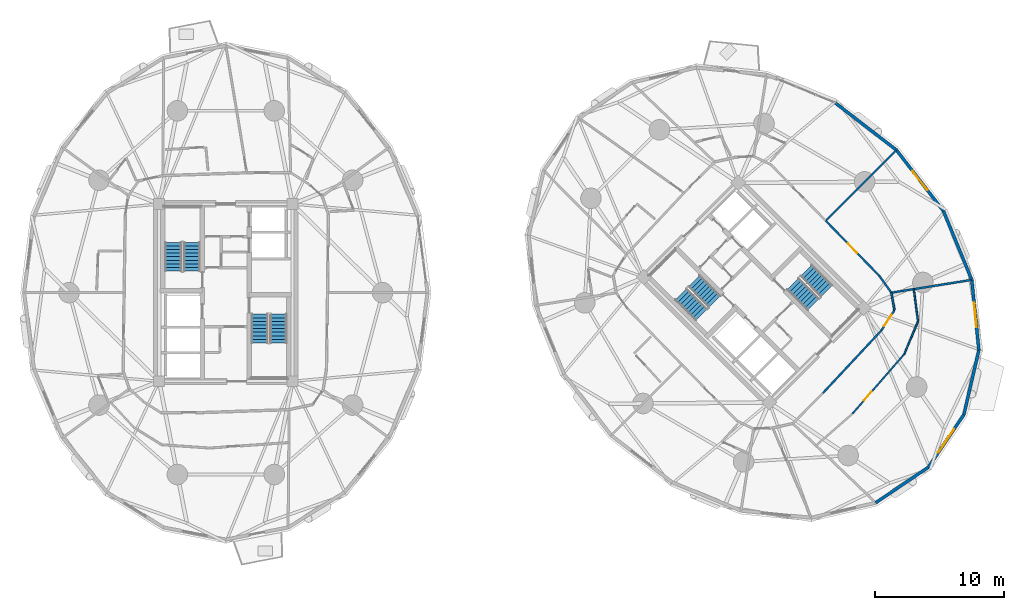
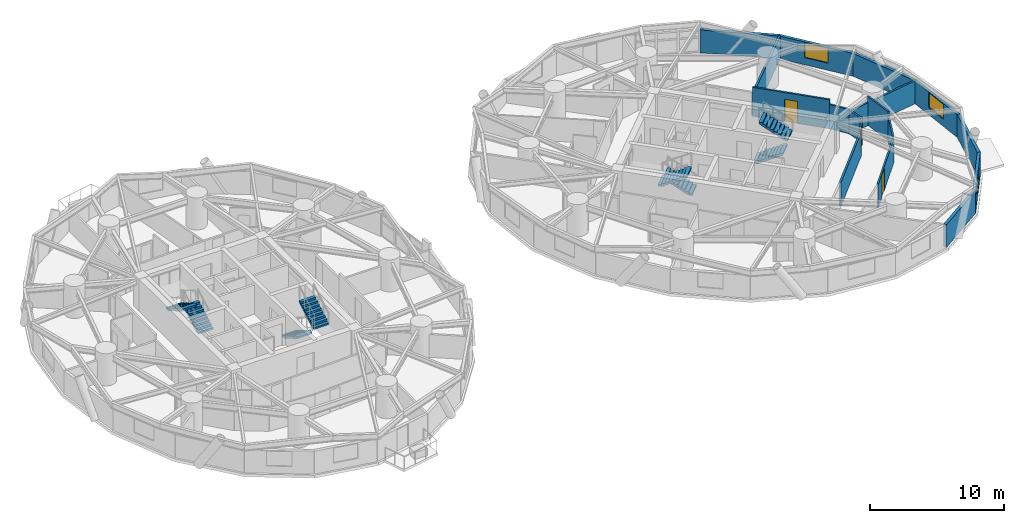
# One storey, part 15 of 18: 17 walls, 8 stair flights, 3 doors, 3 windows, 6 openings, 4 elements without a shape of their own.
"""IFC4 building model written with IfcOpenShell, lengths in metres."""

from ifc_helpers import new_model, si_unit, direction, frame, frame_2d, origin, place, context, subcontext, project, spatial, polyline, rectangle, outline, extrude, source, transform, mapped, material, layer, layer_set, type_object, element, fill, aggregate, save


model = new_model("IFC4")

# Units and contexts
model_context = context("Model", 3, precision=1e-05, world=origin(), true_north=direction((0.0, 1.0)))
body_context = subcontext(model_context, "Body", "Model", "MODEL_VIEW")
ifc_project = project(units=[si_unit("LENGTHUNIT", "METRE"), si_unit("AREAUNIT", "SQUARE_METRE"), si_unit("VOLUMEUNIT", "CUBIC_METRE"), si_unit("PLANEANGLEUNIT", "RADIAN"), si_unit("MASSUNIT", "GRAM", prefix="KILO")], contexts=[model_context])

# Site, building, storey
site_placement = place(None, origin())
site = spatial("IfcSite", under=ifc_project, at=site_placement, CompositionType="ELEMENT")
building_placement = place(site_placement, origin())
building = spatial("IfcBuilding", under=site, at=building_placement, Name="Cununo Teusaquillo Station Towers", CompositionType="ELEMENT")
storey_placement = place(building_placement, frame((0.0, 0.0, 51.10009765625)))
storey = spatial("IfcBuildingStorey", under=building, at=storey_placement, Name="L15", CompositionType="ELEMENT", Elevation=51.10009765625)

# Walls
ifc_material_1 = material(Name="Precast concrete C40/50", Category="concrete")
ifc_layer_1 = layer(ifc_material_1, 0.239990234375)
ifc_layer_set_1 = layer_set([ifc_layer_1], Name="Precast concrete C40/50")
wall_type_1 = type_object("IfcWallType", Name="WL-EXT-240", PredefinedType="SOLIDWALL", material=ifc_layer_set_1)
wall_1_placement = place(storey_placement, frame((63.844482421875, 39.22216796875, 0.0), z_axis=(0.0, 0.0, 1.0), x_axis=(0.792014314407, -0.610502519057, 0.0)))
element("IfcWall", 1, at=wall_1_placement, inside=storey, type_object=wall_type_1, Name="L15 Tower B Exterior Facade Wall C00", PredefinedType="SOLIDWALL", context=body_context, shape_type="SweptSolid", body=[
    extrude(rectangle(XDim=5.973388671875, YDim=0.239990234375, at=frame_2d((2.98681640625, 0.0))), origin(), (0.0, 0.0, 1.0), 2.072998046875),
])
wall_2_placement = place(storey_placement, frame((71.05517578125, 10.94482421875, 0.0), z_axis=(0.0, 0.0, 1.0), x_axis=(-0.828736708604, -0.559638693991, 0.0)))
element("IfcWall", 2, at=wall_2_placement, inside=storey, type_object=wall_type_1, Name="L15 Tower B Exterior Facade Wall C14", PredefinedType="SOLIDWALL", context=body_context, shape_type="SweptSolid", body=[
    extrude(rectangle(XDim=4.929931640625, YDim=0.239990234375, at=frame_2d((2.46484375, 0.0))), origin(), (0.0, 0.0, 1.0), 2.072998046875),
])

# Wall, opening, window
wall_3_placement = place(storey_placement, frame((73.814208984375, 15.030517578125, 0.0), z_axis=(0.0, 0.0, 1.0), x_axis=(-0.559638693991, -0.828736708604, 0.0)))
wall_3 = element("IfcWall", 3, at=wall_3_placement, inside=storey, type_object=wall_type_1, Name="L15 Tower B Exterior Facade Wall C15", PredefinedType="SOLIDWALL", context=body_context, shape_type="SweptSolid", body=[
    extrude(rectangle(XDim=4.929931640625, YDim=0.239990234375, at=frame_2d((2.46484375, 0.0))), origin(), (0.0, 0.0, 1.0), 2.072998046875),
])
shared_shape_1 = source(origin(), body_context, "Body", "SweptSolid", [
    extrude(rectangle(XDim=2.199951171875, YDim=1.35009765625, at=frame_2d((1.10009765625, 0.675048828125))), frame((0.0, 0.1298828125, 0.0), z_axis=(0.0, -1.0, 0.0), x_axis=(1.0, 0.0, 0.0)), (0.0, 0.0, 1.0), 0.260009765625),
])
opening_1_placement = place(wall_3_placement, frame((1.364990234375, 0.0, 0.64990234375)))
opening_1 = element("IfcOpeningElement", 4, at=opening_1_placement, cuts=wall_3, Name="Opening WN-01", PredefinedType="OPENING", context=body_context, shape_type="MappedRepresentation", body=[
    mapped(shared_shape_1, transform((0.0, 0.0, 0.0), x_axis=(1.0, 0.0, 0.0), y_axis=(0.0, 1.0, 0.0), z_axis=(0.0, 0.0, 1.0), scale=1.0)),
])
ifc_material_2 = material(Name="Ceramic-fritted dark low-E double glazing", Category="glass")
window_type_1 = type_object("IfcWindowType", Name="WIN-FRIT-2200", PartitioningType="DOUBLE_PANEL_VERTICAL", PredefinedType="WINDOW", material=ifc_material_2)
shared_shape_2 = source(origin(), body_context, "Body", "SweptSolid", [
    extrude(rectangle(XDim=2.199951171875, YDim=1.35009765625, at=frame_2d((1.10009765625, 0.675048828125))), frame((0.0, 0.030029296875, 0.0), z_axis=(0.0, -1.0, 0.0), x_axis=(1.0, 0.0, 0.0)), (0.0, 0.0, 1.0), 0.06005859375),
])
window_1_placement = place(opening_1_placement, origin())
window_1 = element("IfcWindow", 5, at=window_1_placement, inside=storey, type_object=window_type_1, Name="L15 Tower B Facade Window C15", OverallHeight=1.35009765625, OverallWidth=2.199951171875, PartitioningType="DOUBLE_PANEL_VERTICAL", PredefinedType="WINDOW", context=body_context, shape_type="MappedRepresentation", body=[
    mapped(shared_shape_2, transform((0.0, 0.0, 0.0), x_axis=(1.0, 0.0, 0.0), y_axis=(0.0, 1.0, 0.0), z_axis=(0.0, 0.0, 1.0), scale=1.0)),
])
fill(opening_1, window_1)

# Wall
wall_4_placement = place(storey_placement, frame((74.976318359375, 20.04345703125, 0.0), z_axis=(0.0, 0.0, 1.0), x_axis=(-0.225833060959, -0.974166016949, 0.0)))
element("IfcWall", 6, at=wall_4_placement, inside=storey, type_object=wall_type_1, Name="L15 Tower B Exterior Facade Wall C16", PredefinedType="SOLIDWALL", context=body_context, shape_type="SweptSolid", body=[
    extrude(rectangle(XDim=5.14599609375, YDim=0.239990234375, at=frame_2d((2.572998046875, 0.0))), origin(), (0.0, 0.0, 1.0), 2.072998046875),
])

# Wall, opening, window
wall_5_placement = place(storey_placement, frame((74.427734375, 25.49267578125, 0.0), z_axis=(0.0, 0.0, 1.0), x_axis=(0.100165739718, -0.994970765694, 0.0)))
wall_5 = element("IfcWall", 7, at=wall_5_placement, inside=storey, type_object=wall_type_1, Name="L15 Tower B Exterior Facade Wall C17", PredefinedType="SOLIDWALL", context=body_context, shape_type="SweptSolid", body=[
    extrude(rectangle(XDim=5.476806640625, YDim=0.239990234375, at=frame_2d((2.73828125, 0.0))), origin(), (0.0, 0.0, 1.0), 2.072998046875),
])
shared_shape_3 = source(origin(), body_context, "Body", "SweptSolid", [
    extrude(rectangle(XDim=1.89990234375, YDim=1.35009765625, at=frame_2d((0.949951171875, 0.675048828125))), frame((0.0, 0.1298828125, 0.0), z_axis=(0.0, -1.0, 0.0), x_axis=(1.0, 0.0, 0.0)), (0.0, 0.0, 1.0), 0.260009765625),
])
opening_2_placement = place(wall_5_placement, frame((1.7880859375, 0.0, 0.64990234375)))
opening_2 = element("IfcOpeningElement", 8, at=opening_2_placement, cuts=wall_5, Name="Opening WN-02", PredefinedType="OPENING", context=body_context, shape_type="MappedRepresentation", body=[
    mapped(shared_shape_3, transform((0.0, 0.0, 0.0), x_axis=(1.0, 0.0, 0.0), y_axis=(0.0, 1.0, 0.0), z_axis=(0.0, 0.0, 1.0), scale=1.0)),
])
ifc_material_3 = material(Name="Operable acoustic tinted low-E double glazing", Category="glass")
window_type_2 = type_object("IfcWindowType", Name="WIN-OPER-1900", PartitioningType="DOUBLE_PANEL_VERTICAL", PredefinedType="WINDOW", material=ifc_material_3)
shared_shape_4 = source(origin(), body_context, "Body", "SweptSolid", [
    extrude(rectangle(XDim=1.89990234375, YDim=1.35009765625, at=frame_2d((0.949951171875, 0.675048828125))), frame((0.0, 0.030029296875, 0.0), z_axis=(0.0, -1.0, 0.0), x_axis=(1.0, 0.0, 0.0)), (0.0, 0.0, 1.0), 0.06005859375),
])
window_2_placement = place(opening_2_placement, origin())
window_2 = element("IfcWindow", 9, at=window_2_placement, inside=storey, type_object=window_type_2, Name="L15 Tower B Facade Window C17", OverallHeight=1.35009765625, OverallWidth=1.89990234375, PartitioningType="DOUBLE_PANEL_VERTICAL", PredefinedType="WINDOW", context=body_context, shape_type="MappedRepresentation", body=[
    mapped(shared_shape_4, transform((0.0, 0.0, 0.0), x_axis=(1.0, 0.0, 0.0), y_axis=(0.0, 1.0, 0.0), z_axis=(0.0, 0.0, 1.0), scale=1.0)),
])
fill(opening_2, window_2)

# Wall
wall_6_placement = place(storey_placement, frame((72.22216796875, 30.844482421875, 0.0), z_axis=(0.0, 0.0, 1.0), x_axis=(0.381027682565, -0.924563629567, 0.0)))
element("IfcWall", 10, at=wall_6_placement, inside=storey, type_object=wall_type_1, Name="L15 Tower B Exterior Facade Wall C18", PredefinedType="SOLIDWALL", context=body_context, shape_type="SweptSolid", body=[
    extrude(rectangle(XDim=5.78857421875, YDim=0.239990234375, at=frame_2d((2.894287109375, 0.0))), origin(), (0.0, 0.0, 1.0), 2.072998046875),
])

# Wall, opening, window
wall_7_placement = place(storey_placement, frame((68.575439453125, 35.575439453125, 0.0), z_axis=(0.0, 0.0, 1.0), x_axis=(0.610502519057, -0.792014314407, 0.0)))
wall_7 = element("IfcWall", 11, at=wall_7_placement, inside=storey, type_object=wall_type_1, Name="L15 Tower B Exterior Facade Wall C19", PredefinedType="SOLIDWALL", context=body_context, shape_type="SweptSolid", body=[
    extrude(rectangle(XDim=5.973388671875, YDim=0.239990234375, at=frame_2d((2.98681640625, 0.0))), origin(), (0.0, 0.0, 1.0), 2.072998046875),
])
opening_3_placement = place(wall_7_placement, frame((2.037109375, 0.0, 0.64990234375)))
opening_3 = element("IfcOpeningElement", 12, at=opening_3_placement, cuts=wall_7, Name="Opening WN-02", PredefinedType="OPENING", context=body_context, shape_type="MappedRepresentation", body=[
    mapped(shared_shape_3, transform((0.0, 0.0, 0.0), x_axis=(1.0, 0.0, 0.0), y_axis=(0.0, 1.0, 0.0), z_axis=(0.0, 0.0, 1.0), scale=1.0)),
])
window_3_placement = place(opening_3_placement, origin())
window_3 = element("IfcWindow", 13, at=window_3_placement, inside=storey, type_object=window_type_2, Name="L15 Tower B Facade Window C19", OverallHeight=1.35009765625, OverallWidth=1.89990234375, PartitioningType="DOUBLE_PANEL_VERTICAL", PredefinedType="WINDOW", context=body_context, shape_type="MappedRepresentation", body=[
    mapped(shared_shape_4, transform((0.0, 0.0, 0.0), x_axis=(1.0, 0.0, 0.0), y_axis=(0.0, 1.0, 0.0), z_axis=(0.0, 0.0, 1.0), scale=1.0)),
])
fill(opening_3, window_3)

# Wall, opening, door
ifc_material_4 = material(Name="Fire-rated gypsum plasterboard partition assembly", Category="gypsum")
ifc_layer_2 = layer(ifc_material_4, 0.125)
ifc_layer_set_2 = layer_set([ifc_layer_2], Name="Fire-rated gypsum plasterboard partition assembly")
wall_type_2 = type_object("IfcWallType", Name="WL-PART-125", PredefinedType="PARTITIONING", material=ifc_layer_set_2)
wall_8_placement = place(storey_placement, frame((65.156005859375, 15.09375, 0.0), z_axis=(0.0, 0.0, 1.0), x_axis=(0.656356662483, 0.754450748302, 0.0)))
wall_8 = element("IfcWall", 14, at=wall_8_placement, inside=storey, type_object=wall_type_2, Name="L15 Tower B Hotel Housekeeping & Linen Pantry Concentric Partition Wall C15", PredefinedType="PARTITIONING", context=body_context, shape_type="SweptSolid", body=[
    extrude(rectangle(XDim=6.1474609375, YDim=0.125, at=frame_2d((3.07373046875, 0.0))), origin(), (0.0, 0.0, 1.0), 2.158935546875),
])
shared_shape_5 = source(origin(), body_context, "Body", "SweptSolid", [
    extrude(rectangle(XDim=0.89990234375, YDim=2.0048828125, at=frame_2d((0.449951171875, 1.00244140625))), frame((0.0, 0.072509765625, 0.0), z_axis=(0.0, -1.0, 0.0), x_axis=(1.0, 0.0, 0.0)), (0.0, 0.0, 1.0), 0.14501953125),
])
opening_4_placement = place(wall_8_placement, frame((1.371826171875, 0.0, 0.0)))
opening_4 = element("IfcOpeningElement", 15, at=opening_4_placement, cuts=wall_8, Name="Opening D-IN1", PredefinedType="OPENING", context=body_context, shape_type="MappedRepresentation", body=[
    mapped(shared_shape_5, transform((0.0, 0.0, 0.0), x_axis=(1.0, 0.0, 0.0), y_axis=(0.0, 1.0, 0.0), z_axis=(0.0, 0.0, 1.0), scale=1.0)),
])
ifc_material_5 = material(Name="Acoustic solid-core hardwood leaf assembly", Category="wood")
door_type_1 = type_object("IfcDoorType", Name="DR-INT-900", OperationType="NOTDEFINED", PredefinedType="DOOR", material=ifc_material_5)
shared_shape_6 = source(origin(), body_context, "Body", "SweptSolid", [
    extrude(rectangle(XDim=0.89990234375, YDim=2.0048828125, at=frame_2d((0.449951171875, 1.00244140625))), frame((0.0, 0.02490234375, 0.0), z_axis=(0.0, -1.0, 0.0), x_axis=(1.0, 0.0, 0.0)), (0.0, 0.0, 1.0), 0.050048828125),
])
door_1_placement = place(opening_4_placement, origin())
door_1 = element("IfcDoor", 16, at=door_1_placement, inside=storey, type_object=door_type_1, Name="L15 Tower B Hotel Housekeeping & Linen Pantry Connecting Door", OperationType="SINGLE_SWING_LEFT", OverallHeight=2.0048828125, OverallWidth=0.89990234375, PredefinedType="DOOR", context=body_context, shape_type="MappedRepresentation", body=[
    mapped(shared_shape_6, transform((0.0, 0.0, 0.0), x_axis=(1.0, 0.0, 0.0), y_axis=(0.0, 1.0, 0.0), z_axis=(0.0, 0.0, 1.0), scale=1.0)),
])
fill(opening_4, door_1)

# Walls
wall_9_placement = place(storey_placement, frame((69.19091796875, 19.731689453125, 0.0), z_axis=(0.0, 0.0, 1.0), x_axis=(0.385156247749, 0.922851377427, 0.0)))
element("IfcWall", 17, at=wall_9_placement, inside=storey, type_object=wall_type_2, Name="L15 Tower B Hotel Housekeeping & Linen Pantry Concentric Partition Wall C16", PredefinedType="PARTITIONING", context=body_context, shape_type="SweptSolid", body=[
    extrude(rectangle(XDim=2.756103515625, YDim=0.125, at=frame_2d((1.3779296875, 0.0))), origin(), (0.0, 0.0, 1.0), 2.204833984375),
])
wall_10_placement = place(storey_placement, frame((70.25244140625, 22.275146484375, 0.0), z_axis=(0.0, 0.0, 1.0), x_axis=(-0.129645482902, 0.991560411051, 0.0)))
element("IfcWall", 18, at=wall_10_placement, inside=storey, type_object=wall_type_2, Name="L15 Tower B Hotel Housekeeping & Linen Pantry Concentric Partition Wall C17", PredefinedType="PARTITIONING", context=body_context, shape_type="SweptSolid", body=[
    extrude(rectangle(XDim=2.521484375, YDim=0.125, at=frame_2d((1.2607421875, 0.0))), origin(), (0.0, 0.0, 1.0), 2.635009765625),
])
ifc_material_6 = material(Name="Fire-rated gypsum plasterboard partition assembly", Category="gypsum")
ifc_layer_3 = layer(ifc_material_6, 0.14990234375)
ifc_layer_set_3 = layer_set([ifc_layer_3], Name="Fire-rated gypsum plasterboard partition assembly")
wall_type_3 = type_object("IfcWallType", Name="WL-PART-150", PredefinedType="PARTITIONING", material=ifc_layer_set_3)
wall_11_placement = place(storey_placement, frame((62.8671875, 16.70166015625, 0.0), z_axis=(0.0, 0.0, 1.0), x_axis=(0.682449206191, 0.73093302085, 0.0)))
element("IfcWall", 19, at=wall_11_placement, inside=storey, type_object=wall_type_3, Name="L15 Tower B Corridor Ring Wall C15", PredefinedType="PARTITIONING", context=body_context, shape_type="SweptSolid", body=[
    extrude(rectangle(XDim=6.641845703125, YDim=0.14990234375, at=frame_2d((3.32080078125, 0.0))), origin(), (0.0, 0.0, 1.0), 2.158935546875),
])

# Wall, opening, door
wall_12_placement = place(storey_placement, frame((67.39990234375, 21.556396484375, 0.0), z_axis=(0.0, 0.0, 1.0), x_axis=(0.542247692187, 0.840218686009, 0.0)))
wall_12 = element("IfcWall", 20, at=wall_12_placement, inside=storey, type_object=wall_type_3, Name="L15 Tower B Corridor Ring Wall C16", PredefinedType="PARTITIONING", context=body_context, shape_type="SweptSolid", body=[
    extrude(rectangle(XDim=1.886962890625, YDim=0.14990234375, at=frame_2d((0.943359375, 0.0))), origin(), (0.0, 0.0, 1.0), 2.204833984375),
])
shared_shape_7 = source(origin(), body_context, "Body", "SweptSolid", [
    extrude(rectangle(XDim=1.050048828125, YDim=2.014892578125, at=frame_2d((0.52490234375, 1.00732421875))), frame((0.0, 0.0849609375, 0.0), z_axis=(0.0, -1.0, 0.0), x_axis=(1.0, 0.0, 0.0)), (0.0, 0.0, 1.0), 0.169921875),
])
opening_5_placement = place(wall_12_placement, frame((0.418701171875, 0.0, 0.0)))
opening_5 = element("IfcOpeningElement", 21, at=opening_5_placement, cuts=wall_12, Name="Opening D-SU1", PredefinedType="OPENING", context=body_context, shape_type="MappedRepresentation", body=[
    mapped(shared_shape_7, transform((0.0, 0.0, 0.0), x_axis=(1.0, 0.0, 0.0), y_axis=(0.0, 1.0, 0.0), z_axis=(0.0, 0.0, 1.0), scale=1.0)),
])
ifc_material_7 = material(Name="Acoustic solid-core hardwood leaf assembly", Category="wood")
door_type_2 = type_object("IfcDoorType", Name="DR-SUITE-1050", OperationType="NOTDEFINED", PredefinedType="DOOR", material=ifc_material_7)
shared_shape_8 = source(origin(), body_context, "Body", "SweptSolid", [
    extrude(rectangle(XDim=1.050048828125, YDim=2.014892578125, at=frame_2d((0.52490234375, 1.00732421875))), frame((0.0, 0.02490234375, 0.0), z_axis=(0.0, -1.0, 0.0), x_axis=(1.0, 0.0, 0.0)), (0.0, 0.0, 1.0), 0.050048828125),
])
door_2_placement = place(opening_5_placement, origin())
door_2 = element("IfcDoor", 22, at=door_2_placement, inside=storey, type_object=door_type_2, Name="L15 Tower B Hotel Housekeeping & Linen Pantry Entrance Door", OperationType="SINGLE_SWING_RIGHT", OverallHeight=2.014892578125, OverallWidth=1.050048828125, PredefinedType="DOOR", context=body_context, shape_type="MappedRepresentation", body=[
    mapped(shared_shape_8, transform((0.0, 0.0, 0.0), x_axis=(1.0, 0.0, 0.0), y_axis=(0.0, 1.0, 0.0), z_axis=(0.0, 0.0, 1.0), scale=1.0)),
])
fill(opening_5, door_2)

# Walls
wall_13_placement = place(storey_placement, frame((68.423095703125, 23.141845703125, 0.0), z_axis=(0.0, 0.0, 1.0), x_axis=(-0.174796562349, 0.984604571283, 0.0)))
element("IfcWall", 23, at=wall_13_placement, inside=storey, type_object=wall_type_3, Name="L15 Tower B Corridor Ring Wall C17", PredefinedType="PARTITIONING", context=body_context, shape_type="SweptSolid", body=[
    extrude(rectangle(XDim=1.377197265625, YDim=0.14990234375, at=frame_2d((0.6884765625, 0.0))), origin(), (0.0, 0.0, 1.0), 2.158935546875),
])
wall_14_placement = place(storey_placement, frame((68.182373046875, 24.497802734375, 0.0), z_axis=(0.0, 0.0, 1.0), x_axis=(-0.582532339525, 0.812807525437, 0.0)))
element("IfcWall", 24, at=wall_14_placement, inside=storey, type_object=wall_type_3, Name="L15 Tower B Corridor Ring Wall C18", PredefinedType="PARTITIONING", context=body_context, shape_type="SweptSolid", body=[
    extrude(rectangle(XDim=1.605224609375, YDim=0.14990234375, at=frame_2d((0.802734375, 0.0))), origin(), (0.0, 0.0, 1.0), 2.204833984375),
])

# Wall, opening, door
wall_15_placement = place(storey_placement, frame((67.247314453125, 25.802490234375, 0.0), z_axis=(0.0, 0.0, 1.0), x_axis=(-0.696771261687, 0.71729339108, 0.0)))
wall_15 = element("IfcWall", 25, at=wall_15_placement, inside=storey, type_object=wall_type_3, Name="L15 Tower B Corridor Ring Wall C19", PredefinedType="PARTITIONING", context=body_context, shape_type="SweptSolid", body=[
    extrude(rectangle(XDim=5.971923828125, YDim=0.14990234375, at=frame_2d((2.98583984375, 0.0))), origin(), (0.0, 0.0, 1.0), 2.635009765625),
])
shared_shape_9 = source(origin(), body_context, "Body", "SweptSolid", [
    extrude(rectangle(XDim=1.0, YDim=2.014892578125, at=frame_2d((0.5, 1.00732421875))), frame((0.0, 0.0849609375, 0.0), z_axis=(0.0, -1.0, 0.0), x_axis=(1.0, 0.0, 0.0)), (0.0, 0.0, 1.0), 0.169921875),
])
opening_6_placement = place(wall_15_placement, frame((2.486083984375, 0.0, 0.0)))
opening_6 = element("IfcOpeningElement", 26, at=opening_6_placement, cuts=wall_15, Name="Opening D-AC1", PredefinedType="OPENING", context=body_context, shape_type="MappedRepresentation", body=[
    mapped(shared_shape_9, transform((0.0, 0.0, 0.0), x_axis=(1.0, 0.0, 0.0), y_axis=(0.0, 1.0, 0.0), z_axis=(0.0, 0.0, 1.0), scale=1.0)),
])
ifc_material_8 = material(Name="Acoustic solid-core hardwood leaf assembly", Category="wood")
door_type_3 = type_object("IfcDoorType", Name="DR-ACC-1000", OperationType="NOTDEFINED", PredefinedType="DOOR", material=ifc_material_8)
shared_shape_10 = source(origin(), body_context, "Body", "SweptSolid", [
    extrude(rectangle(XDim=1.0, YDim=2.014892578125, at=frame_2d((0.5, 1.00732421875))), frame((0.0, 0.02490234375, 0.0), z_axis=(0.0, -1.0, 0.0), x_axis=(1.0, 0.0, 0.0)), (0.0, 0.0, 1.0), 0.050048828125),
])
door_3_placement = place(opening_6_placement, origin())
door_3 = element("IfcDoor", 27, at=door_3_placement, inside=storey, type_object=door_type_3, Name="L15 Tower B Public Accessible Restroom WC Entrance Door", OperationType="SINGLE_SWING_RIGHT", OverallHeight=2.014892578125, OverallWidth=1.0, PredefinedType="DOOR", context=body_context, shape_type="MappedRepresentation", body=[
    mapped(shared_shape_10, transform((0.0, 0.0, 0.0), x_axis=(1.0, 0.0, 0.0), y_axis=(0.0, 1.0, 0.0), z_axis=(0.0, 0.0, 1.0), scale=1.0)),
])
fill(opening_6, door_3)

# Walls
ifc_material_9 = material(Name="Fire-rated gypsum plasterboard partition assembly", Category="gypsum")
ifc_layer_4 = layer(ifc_material_9, 0.159912109375)
ifc_layer_set_4 = layer_set([ifc_layer_4], Name="Fire-rated gypsum plasterboard partition assembly")
wall_type_4 = type_object("IfcWallType", Name="WL-PART-160", PredefinedType="PARTITIONING", material=ifc_layer_set_4)
wall_16_placement = place(storey_placement, frame((63.086181640625, 30.086181640625, 0.0), z_axis=(0.0, 0.0, 1.0), x_axis=(0.707106781187, 0.707106781187, 0.0)))
element("IfcWall", 28, at=wall_16_placement, inside=storey, type_object=wall_type_4, Name="L15 Tower B Radial Suite Partition R01", PredefinedType="PARTITIONING", context=body_context, shape_type="SweptSolid", body=[
    extrude(rectangle(XDim=7.742919921875, YDim=0.159912109375, at=frame_2d((3.87158203125, 0.0))), origin(), (0.0, 0.0, 1.0), 2.072998046875),
])
wall_17_placement = place(storey_placement, frame((68.182373046875, 24.497802734375, 0.0), z_axis=(0.0, 0.0, 1.0), x_axis=(0.987550107246, 0.157304754152, 0.0)))
element("IfcWall", 29, at=wall_17_placement, inside=storey, type_object=wall_type_4, Name="L15 Tower B Radial Suite Partition R09", PredefinedType="PARTITIONING", context=body_context, shape_type="SweptSolid", body=[
    extrude(rectangle(XDim=6.30419921875, YDim=0.159912109375, at=frame_2d((3.152099609375, 0.0))), origin(), (0.0, 0.0, 1.0), 2.072998046875),
])

# Stair, stair flights
ifc_material_10 = material(Name="Concrete C50/60", Category="concrete")
stair_type = type_object("IfcStairType", Name="ST-TWR-1300", PredefinedType="HALF_TURN_STAIR", material=ifc_material_10)
stair_1_placement = place(storey_placement, origin())
stair_1 = element("IfcStair", 30, at=stair_1_placement, inside=storey, type_object=stair_type, Name="L15 Tower A Protected Core Exit Stair 1", PredefinedType="HALF_TURN_STAIR")
ifc_material_11 = material(Name="Concrete C50/60", Category="concrete")
stair_flight_type = type_object("IfcStairFlightType", Name="SFL-TWR-1300", PredefinedType="STRAIGHT", material=ifc_material_11)
stair_flight_1_placement = place(storey_placement, frame((13.8701171875, 26.169921875, 0.0), z_axis=(0.0, 0.0, 1.0), x_axis=(0.0, 1.0, 0.0)))
stair_flight_1 = element("IfcStairFlight", 31, at=stair_flight_1_placement, type_object=stair_flight_type, Name="ST-T1-1 flight 1", NumberOfRisers=9, NumberOfTreads=8, PredefinedType="STRAIGHT", RiserHeight=0.161666667, TreadLength=0.28, context=body_context, shape_type="SweptSolid", body=[
    extrude(outline(polyline([(0.0, 0.0), (0.0, 0.16162109375), (0.280029296875, 0.16162109375), (0.280029296875, 0.3232421875), (0.56005859375, 0.3232421875), (0.56005859375, 0.485107421875), (0.840087890625, 0.485107421875), (0.840087890625, 0.646728515625), (1.1201171875, 0.646728515625), (1.1201171875, 0.808349609375), (1.39990234375, 0.808349609375), (1.39990234375, 0.969970703125), (1.679931640625, 0.969970703125), (1.679931640625, 1.131591796875), (1.9599609375, 1.131591796875), (1.9599609375, 1.293212890625), (2.239990234375, 1.293212890625), (2.239990234375, 1.455078125), (2.239990234375, 1.1201171875), (0.2998046875, 0.0), (0.0, 0.0)])), frame((0.0, 0.64990234375, 0.0), z_axis=(0.0, -1.0, 0.0), x_axis=(1.0, 0.0, 0.0)), (0.0, 0.0, 1.0), 1.300048828125),
])
stair_flight_2_placement = place(storey_placement, frame((12.409912109375, 28.409912109375, 1.454833984375), z_axis=(0.0, 0.0, 1.0), x_axis=(0.0, -1.0, 0.0)))
stair_flight_2 = element("IfcStairFlight", 32, at=stair_flight_2_placement, type_object=stair_flight_type, Name="ST-T1-1 flight 2", NumberOfRisers=9, NumberOfTreads=8, PredefinedType="STRAIGHT", RiserHeight=0.161666667, TreadLength=0.28, context=body_context, shape_type="SweptSolid", body=[
    extrude(outline(polyline([(0.0, 0.0), (0.0, 0.16162109375), (0.280029296875, 0.16162109375), (0.280029296875, 0.3232421875), (0.56005859375, 0.3232421875), (0.56005859375, 0.485107421875), (0.840087890625, 0.485107421875), (0.840087890625, 0.646728515625), (1.1201171875, 0.646728515625), (1.1201171875, 0.808349609375), (1.39990234375, 0.808349609375), (1.39990234375, 0.969970703125), (1.679931640625, 0.969970703125), (1.679931640625, 1.131591796875), (1.9599609375, 1.131591796875), (1.9599609375, 1.293212890625), (2.239990234375, 1.293212890625), (2.239990234375, 1.455078125), (2.239990234375, 1.1201171875), (0.2998046875, 0.0), (0.0, 0.0)])), frame((0.0, 0.64990234375, 0.0), z_axis=(0.0, -1.0, 0.0), x_axis=(1.0, 0.0, 0.0)), (0.0, 0.0, 1.0), 1.300048828125),
])
aggregate(stair_1, [stair_flight_1, stair_flight_2])

stair_2_placement = place(storey_placement, origin())
stair_2 = element("IfcStair", 33, at=stair_2_placement, inside=storey, type_object=stair_type, Name="L15 Tower A Protected Core Exit Stair 2", PredefinedType="HALF_TURN_STAIR")
stair_flight_3_placement = place(storey_placement, frame((19.1298828125, 22.830078125, 0.0), z_axis=(0.0, 0.0, 1.0), x_axis=(0.0, -1.0, 0.0)))
stair_flight_3 = element("IfcStairFlight", 34, at=stair_flight_3_placement, type_object=stair_flight_type, Name="ST-T1-2 flight 1", NumberOfRisers=9, NumberOfTreads=8, PredefinedType="STRAIGHT", RiserHeight=0.161666667, TreadLength=0.28, context=body_context, shape_type="SweptSolid", body=[
    extrude(outline(polyline([(0.0, 0.0), (0.0, 0.16162109375), (0.280029296875, 0.16162109375), (0.280029296875, 0.3232421875), (0.56005859375, 0.3232421875), (0.56005859375, 0.485107421875), (0.840087890625, 0.485107421875), (0.840087890625, 0.646728515625), (1.1201171875, 0.646728515625), (1.1201171875, 0.808349609375), (1.39990234375, 0.808349609375), (1.39990234375, 0.969970703125), (1.679931640625, 0.969970703125), (1.679931640625, 1.131591796875), (1.9599609375, 1.131591796875), (1.9599609375, 1.293212890625), (2.239990234375, 1.293212890625), (2.239990234375, 1.455078125), (2.239990234375, 1.1201171875), (0.2998046875, 0.0), (0.0, 0.0)])), frame((0.0, 0.64990234375, 0.0), z_axis=(0.0, -1.0, 0.0), x_axis=(1.0, 0.0, 0.0)), (0.0, 0.0, 1.0), 1.300048828125),
])
stair_flight_4_placement = place(storey_placement, frame((20.590087890625, 20.590087890625, 1.454833984375), z_axis=(0.0, 0.0, 1.0), x_axis=(0.0, 1.0, 0.0)))
stair_flight_4 = element("IfcStairFlight", 35, at=stair_flight_4_placement, type_object=stair_flight_type, Name="ST-T1-2 flight 2", NumberOfRisers=9, NumberOfTreads=8, PredefinedType="STRAIGHT", RiserHeight=0.161666667, TreadLength=0.28, context=body_context, shape_type="SweptSolid", body=[
    extrude(outline(polyline([(0.0, 0.0), (0.0, 0.16162109375), (0.280029296875, 0.16162109375), (0.280029296875, 0.3232421875), (0.56005859375, 0.3232421875), (0.56005859375, 0.485107421875), (0.840087890625, 0.485107421875), (0.840087890625, 0.646728515625), (1.1201171875, 0.646728515625), (1.1201171875, 0.808349609375), (1.39990234375, 0.808349609375), (1.39990234375, 0.969970703125), (1.679931640625, 0.969970703125), (1.679931640625, 1.131591796875), (1.9599609375, 1.131591796875), (1.9599609375, 1.293212890625), (2.239990234375, 1.293212890625), (2.239990234375, 1.455078125), (2.239990234375, 1.1201171875), (0.2998046875, 0.0), (0.0, 0.0)])), frame((0.0, 0.64990234375, 0.0), z_axis=(0.0, -1.0, 0.0), x_axis=(1.0, 0.0, 0.0)), (0.0, 0.0, 1.0), 1.300048828125),
])
aggregate(stair_2, [stair_flight_3, stair_flight_4])

stair_3_placement = place(storey_placement, origin())
stair_3 = element("IfcStair", 36, at=stair_3_placement, inside=storey, type_object=stair_type, Name="L15 Tower B Protected Core Exit Stair 1", PredefinedType="HALF_TURN_STAIR")
stair_flight_5_placement = place(storey_placement, frame((54.45947265625, 23.8212890625, 0.0), z_axis=(0.0, 0.0, 1.0), x_axis=(-0.707106781187, 0.707106781187, 0.0)))
stair_flight_5 = element("IfcStairFlight", 37, at=stair_flight_5_placement, type_object=stair_flight_type, Name="ST-T2-1 flight 1", NumberOfRisers=9, NumberOfTreads=8, PredefinedType="STRAIGHT", RiserHeight=0.161666667, TreadLength=0.28, context=body_context, shape_type="SweptSolid", body=[
    extrude(outline(polyline([(0.0, 0.0), (0.0, 0.16162109375), (0.280029296875, 0.16162109375), (0.280029296875, 0.3232421875), (0.56005859375, 0.3232421875), (0.56005859375, 0.485107421875), (0.840087890625, 0.485107421875), (0.840087890625, 0.646728515625), (1.1201171875, 0.646728515625), (1.1201171875, 0.808349609375), (1.39990234375, 0.808349609375), (1.39990234375, 0.969970703125), (1.679931640625, 0.969970703125), (1.679931640625, 1.131591796875), (1.9599609375, 1.131591796875), (1.9599609375, 1.293212890625), (2.239990234375, 1.293212890625), (2.239990234375, 1.455078125), (2.239990234375, 1.1201171875), (0.2998046875, 0.0), (0.0, 0.0)])), frame((0.0, 0.64990234375, 0.0), z_axis=(0.0, -1.0, 0.0), x_axis=(1.0, 0.0, 0.0)), (0.0, 0.0, 1.0), 1.300048828125),
])
stair_flight_6_placement = place(storey_placement, frame((51.84326171875, 24.372802734375, 1.454833984375), z_axis=(0.0, 0.0, 1.0), x_axis=(0.707106781187, -0.707106781187, 0.0)))
stair_flight_6 = element("IfcStairFlight", 38, at=stair_flight_6_placement, type_object=stair_flight_type, Name="ST-T2-1 flight 2", NumberOfRisers=9, NumberOfTreads=8, PredefinedType="STRAIGHT", RiserHeight=0.161666667, TreadLength=0.28, context=body_context, shape_type="SweptSolid", body=[
    extrude(outline(polyline([(0.0, 0.0), (0.0, 0.16162109375), (0.280029296875, 0.16162109375), (0.280029296875, 0.3232421875), (0.56005859375, 0.3232421875), (0.56005859375, 0.485107421875), (0.840087890625, 0.485107421875), (0.840087890625, 0.646728515625), (1.1201171875, 0.646728515625), (1.1201171875, 0.808349609375), (1.39990234375, 0.808349609375), (1.39990234375, 0.969970703125), (1.679931640625, 0.969970703125), (1.679931640625, 1.131591796875), (1.9599609375, 1.131591796875), (1.9599609375, 1.293212890625), (2.239990234375, 1.293212890625), (2.239990234375, 1.455078125), (2.239990234375, 1.1201171875), (0.2998046875, 0.0), (0.0, 0.0)])), frame((0.0, 0.64990234375, 0.0), z_axis=(0.0, -1.0, 0.0), x_axis=(1.0, 0.0, 0.0)), (0.0, 0.0, 1.0), 1.300048828125),
])
aggregate(stair_3, [stair_flight_5, stair_flight_6])

stair_4_placement = place(storey_placement, origin())
stair_4 = element("IfcStair", 39, at=stair_4_placement, inside=storey, type_object=stair_type, Name="L15 Tower B Protected Core Exit Stair 2", PredefinedType="HALF_TURN_STAIR")
stair_flight_7_placement = place(storey_placement, frame((60.54052734375, 25.1787109375, 0.0), z_axis=(0.0, 0.0, 1.0), x_axis=(0.707106781187, -0.707106781187, 0.0)))
stair_flight_7 = element("IfcStairFlight", 40, at=stair_flight_7_placement, type_object=stair_flight_type, Name="ST-T2-2 flight 1", NumberOfRisers=9, NumberOfTreads=8, PredefinedType="STRAIGHT", RiserHeight=0.161666667, TreadLength=0.28, context=body_context, shape_type="SweptSolid", body=[
    extrude(outline(polyline([(0.0, 0.0), (0.0, 0.16162109375), (0.280029296875, 0.16162109375), (0.280029296875, 0.3232421875), (0.56005859375, 0.3232421875), (0.56005859375, 0.485107421875), (0.840087890625, 0.485107421875), (0.840087890625, 0.646728515625), (1.1201171875, 0.646728515625), (1.1201171875, 0.808349609375), (1.39990234375, 0.808349609375), (1.39990234375, 0.969970703125), (1.679931640625, 0.969970703125), (1.679931640625, 1.131591796875), (1.9599609375, 1.131591796875), (1.9599609375, 1.293212890625), (2.239990234375, 1.293212890625), (2.239990234375, 1.455078125), (2.239990234375, 1.1201171875), (0.2998046875, 0.0), (0.0, 0.0)])), frame((0.0, 0.64990234375, 0.0), z_axis=(0.0, -1.0, 0.0), x_axis=(1.0, 0.0, 0.0)), (0.0, 0.0, 1.0), 1.300048828125),
])
stair_flight_8_placement = place(storey_placement, frame((63.15673828125, 24.627197265625, 1.454833984375), z_axis=(0.0, 0.0, 1.0), x_axis=(-0.707106781187, 0.707106781187, 0.0)))
stair_flight_8 = element("IfcStairFlight", 41, at=stair_flight_8_placement, type_object=stair_flight_type, Name="ST-T2-2 flight 2", NumberOfRisers=9, NumberOfTreads=8, PredefinedType="STRAIGHT", RiserHeight=0.161666667, TreadLength=0.28, context=body_context, shape_type="SweptSolid", body=[
    extrude(outline(polyline([(0.0, 0.0), (0.0, 0.16162109375), (0.280029296875, 0.16162109375), (0.280029296875, 0.3232421875), (0.56005859375, 0.3232421875), (0.56005859375, 0.485107421875), (0.840087890625, 0.485107421875), (0.840087890625, 0.646728515625), (1.1201171875, 0.646728515625), (1.1201171875, 0.808349609375), (1.39990234375, 0.808349609375), (1.39990234375, 0.969970703125), (1.679931640625, 0.969970703125), (1.679931640625, 1.131591796875), (1.9599609375, 1.131591796875), (1.9599609375, 1.293212890625), (2.239990234375, 1.293212890625), (2.239990234375, 1.455078125), (2.239990234375, 1.1201171875), (0.2998046875, 0.0), (0.0, 0.0)])), frame((0.0, 0.64990234375, 0.0), z_axis=(0.0, -1.0, 0.0), x_axis=(1.0, 0.0, 0.0)), (0.0, 0.0, 1.0), 1.300048828125),
])
aggregate(stair_4, [stair_flight_7, stair_flight_8])

save(model, "model.ifc")
